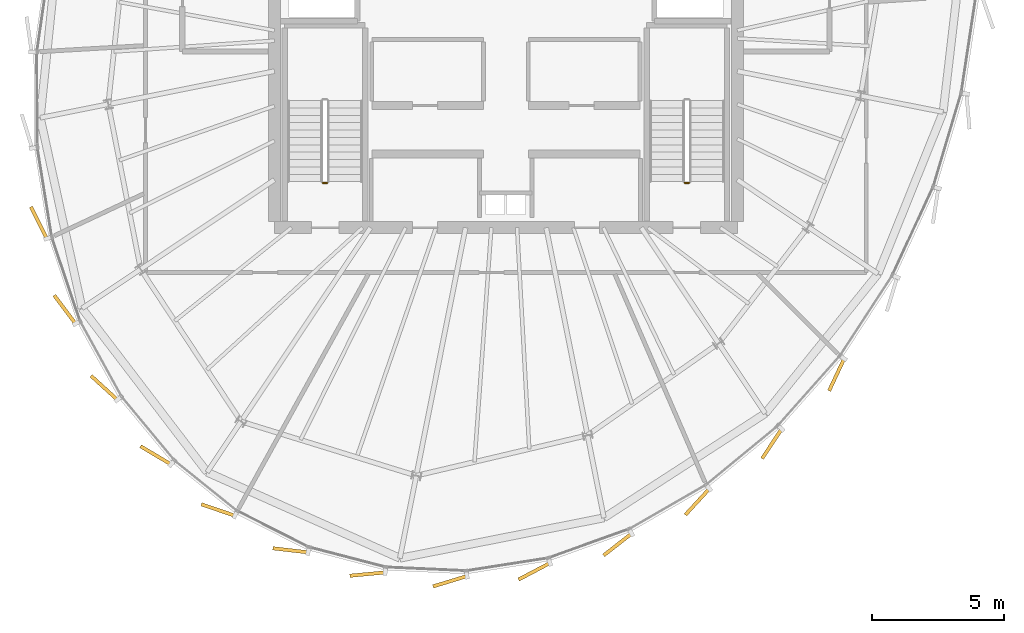
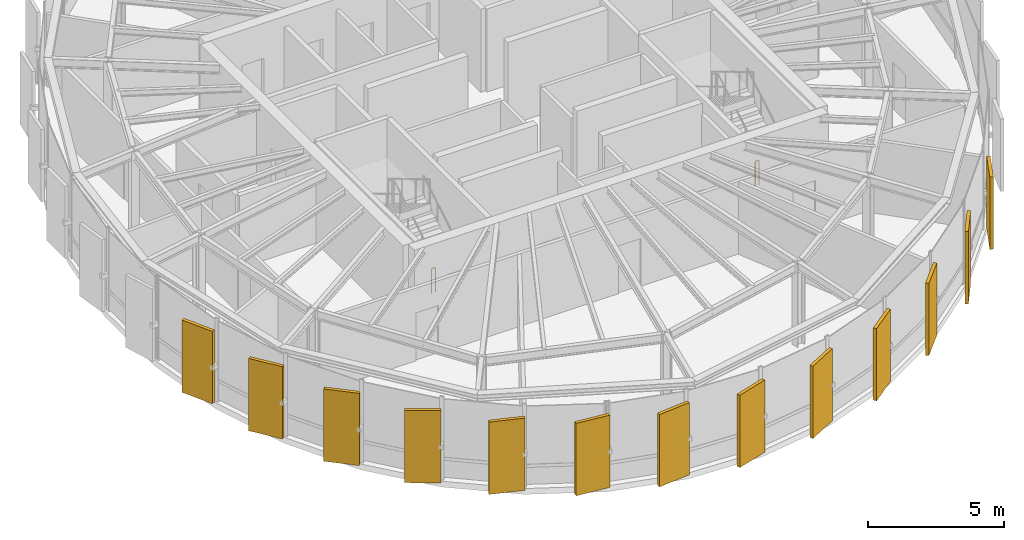
# One storey, part 25 of 27: 13 coverings, 2 railings.
"""IFC4 building model written with IfcOpenShell, lengths in metres."""

from ifc_helpers import new_model, si_unit, direction, frame, origin, origin_2d, place, context, subcontext, project, spatial, rectangle, circle, extrude, source, transform, mapped, material, layer, layer_set, type_object, element, save


model = new_model("IFC4")

# Units and contexts
model_context = context("Model", 3, precision=1e-05, world=origin(), true_north=direction((0.0, 1.0)))
body_context = subcontext(model_context, "Body", "Model", "MODEL_VIEW")
ifc_project = project(units=[si_unit("LENGTHUNIT", "METRE"), si_unit("AREAUNIT", "SQUARE_METRE"), si_unit("VOLUMEUNIT", "CUBIC_METRE"), si_unit("PLANEANGLEUNIT", "RADIAN"), si_unit("MASSUNIT", "GRAM", prefix="KILO"), si_unit("THERMODYNAMICTEMPERATUREUNIT", "KELVIN")], contexts=[model_context])

# Site, building, storey
site_placement = place(None, origin())
site = spatial("IfcSite", under=ifc_project, at=site_placement, CompositionType="ELEMENT")
building_placement = place(site_placement, origin())
building = spatial("IfcBuilding", under=site, at=building_placement, Name="Kethvar Cultural Tower", CompositionType="ELEMENT")
storey_placement = place(building_placement, frame((0.0, 0.0, 312.300048828125)))
storey = spatial("IfcBuildingStorey", under=building, at=storey_placement, Name="L83", CompositionType="ELEMENT", Elevation=312.300048828125)

# Railings
ifc_material_1 = material(Name="Steel S355J2", Category="steel")
railing_type = type_object("IfcRailingType", Name="RL-STAIR-GUARD", PredefinedType="BALUSTRADE", material=ifc_material_1)
for number, where, name in (
    (1, (40.0, 21.800048828125, 0.0), "L83 ST-01 stair guard 4"),
    (2, (53.760009765625, 21.800048828125, 0.0), "L83 ST-02 stair guard 4"),
):
    element("IfcRailing", number, at=place(storey_placement, frame(where)), inside=storey, type_object=railing_type, Name=name, PredefinedType="BALUSTRADE", context=body_context, shape_type="SweptSolid", body=[
        extrude(circle(Radius=0.02392578125, at=origin_2d()), frame((0.0, 0.0, 1.09619140625), z_axis=(-1.0, 0.0, 0.0), x_axis=(0.0, -1.0, 0.0)), (0.0, 0.0, 1.0), 0.159912109375),
        extrude(circle(Radius=0.02099609375, at=origin_2d()), origin(), (0.0, 0.0, 1.0), 1.072021484375),
        extrude(circle(Radius=0.02099609375, at=origin_2d()), frame((-0.159912109375, 0.0, 0.0)), (0.0, 0.0, 1.0), 1.072021484375),
    ])

# Coverings
ifc_material_2 = material(Name="Extruded Architectural Terracotta", Category="masonry")
ifc_layer = layer(ifc_material_2, 0.135009765625, Name="Extruded Architectural Terracotta", Category="masonry")
ifc_layer_set = layer_set([ifc_layer], Name="Extruded Architectural Terracotta (135 mm)")
covering_type = type_object("IfcCoveringType", Name="Terracotta Facade Fin FIN-03", PredefinedType="CLADDING", material=ifc_layer_set)
shared_shape = source(origin(), body_context, "Body", "SweptSolid", [
    extrude(rectangle(XDim=1.35009765625, YDim=0.135009765625, at=origin_2d()), origin(), (0.0, 0.0, 1.0), 3.25),
])
for number, where, z_axis, x_axis, name in (
    (3, (29.042236328125, 20.285888671875, 0.02001953125), (0.0, 0.0, 1.0), (-0.44838321609, 0.893841424151, 0.0), "L83 Vertical Terracotta Fin 3.2"),
    (4, (30.033203125, 16.98828125, 0.02001953125), (0.0, 0.0, 1.0), (-0.599023598516, 0.800731370949, 0.0), "L83 Vertical Terracotta Fin 3.3"),
    (5, (31.529052734375, 14.011962890625, 0.02001953125), (0.0, 0.0, 1.0), (-0.73927860508, 0.673399691173, 0.0), "L83 Vertical Terracotta Fin 3.4"),
    (6, (33.48876953125, 11.445068359375, 0.02001953125), (0.0, 0.0, 1.0), (-0.858959896931, 0.512042864871, 0.0), "L83 Vertical Terracotta Fin 3.5"),
    (7, (35.85791015625, 9.366455078125, 0.02001953125), (0.0, 0.0, 1.0), (-0.946705491672, 0.322100468858, 0.0), "L83 Vertical Terracotta Fin 3.6"),
    (8, (38.609375, 7.83349609375, 0.02001953125), (0.0, 0.0, 1.0), (-0.993352690153, 0.115110524996, 0.0), "L83 Vertical Terracotta Fin 4.1"),
    (9, (41.538818359375, 6.93017578125, 0.02001953125), (0.0, 0.0, 1.0), (-0.995561964603, -0.094108313319, 0.0), "L83 Vertical Terracotta Fin 4.2"),
    (10, (44.676025390625, 6.657470703125, 0.02001953125), (0.0, 0.0, 1.0), (-0.956661241594, -0.291203140148, 0.0), "L83 Vertical Terracotta Fin 4.3"),
    (11, (47.879150390625, 7.03662109375, 0.02001953125), (0.0, 0.0, 1.0), (-0.884580975215, -0.46638664034, 0.0), "L83 Vertical Terracotta Fin 4.4"),
    (12, (51.046875, 8.0546875, 0.02001953125), (0.0, 0.0, 1.0), (-0.788440374331, -0.61511119005, 0.0), "L83 Vertical Terracotta Fin 4.5"),
    (13, (54.079345703125, 9.677978515625, 0.02001953125), (0.0, 0.0, 1.0), (-0.676361912062, -0.736569456271, 0.0), "L83 Vertical Terracotta Fin 4.6"),
    (14, (56.91162109375, 11.884765625, 0.02001953125), (0.0, 0.0, 1.0), (-0.553682259884, -0.832728019878, 0.0), "L83 Vertical Terracotta Fin 5.1"),
    (15, (59.37451171875, 14.5107421875, 0.02001953125), (0.0, 0.0, 1.0), (-0.424041364714, -0.905642821984, 0.0), "L83 Vertical Terracotta Fin 5.2"),
):
    element("IfcCovering", number, at=place(storey_placement, frame(where, z_axis=z_axis, x_axis=x_axis)), inside=storey, type_object=covering_type, Name=name, PredefinedType="CLADDING", context=body_context, shape_type="MappedRepresentation", body=[
        mapped(shared_shape, transform((0.0, 0.0, 0.0), scale=1.0)),
    ])

save(model, "model.ifc")
